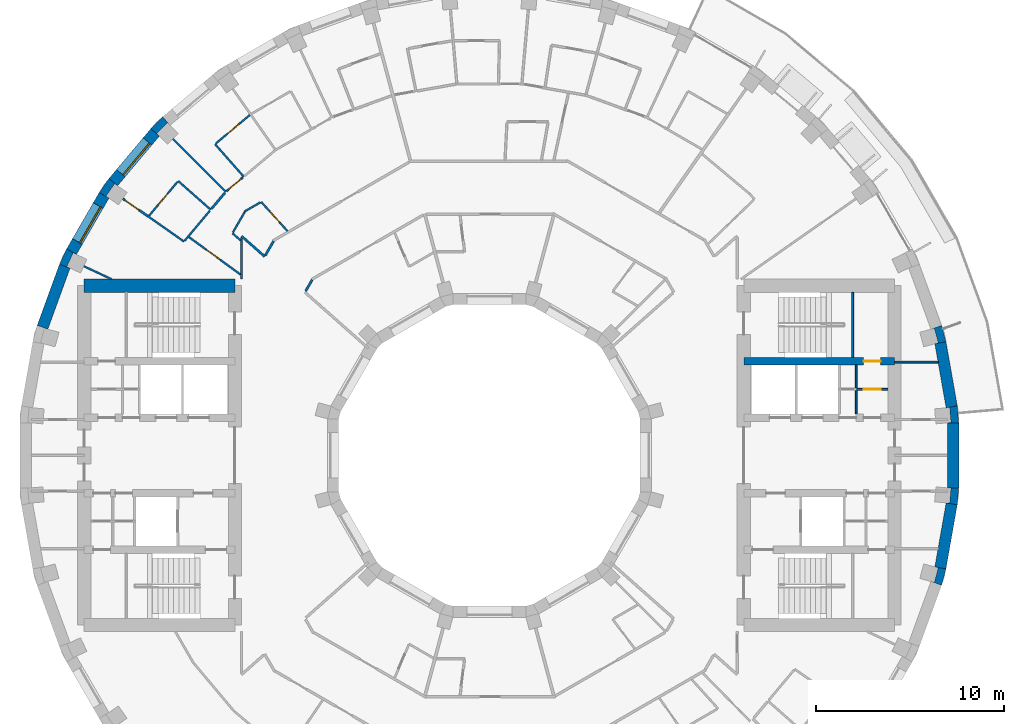
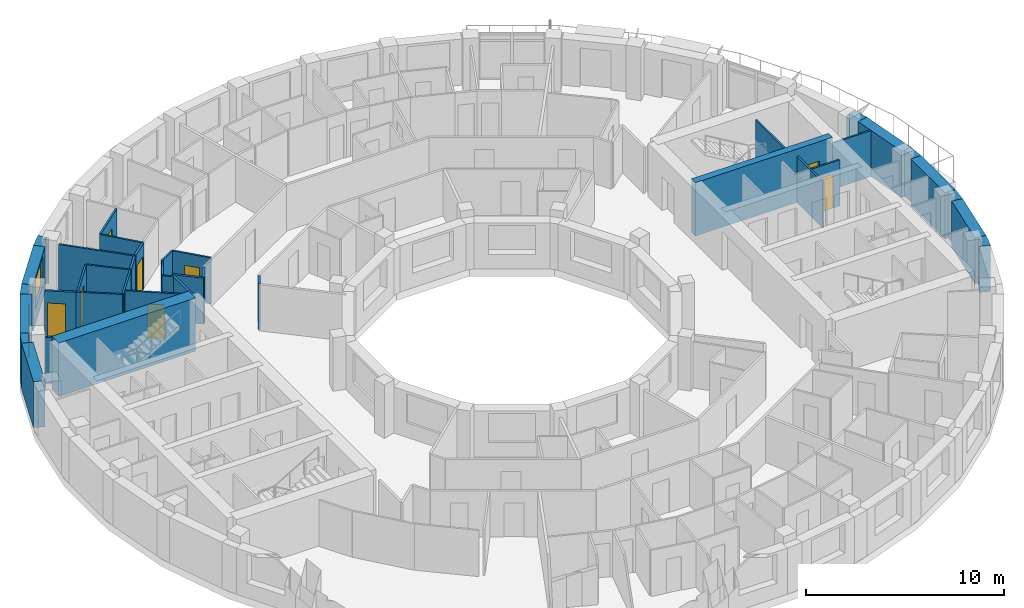
# One storey, part 10 of 15: 39 walls, 8 doors, 2 windows, 10 openings.
"""IFC4 building model written with IfcOpenShell, lengths in metres."""

from ifc_helpers import new_model, si_unit, direction, frame, frame_2d, origin, place, context, subcontext, project, spatial, polyline, rectangle, outline, extrude, material, layer, layer_set, type_object, element, fill, save


model = new_model("IFC4")

# Units and contexts
model_context = context("Model", 3, precision=1e-05, world=origin(), true_north=direction((0.0, 1.0)))
body_context = subcontext(model_context, "Body", "Model", "MODEL_VIEW")
ifc_project = project(units=[si_unit("LENGTHUNIT", "METRE"), si_unit("AREAUNIT", "SQUARE_METRE"), si_unit("VOLUMEUNIT", "CUBIC_METRE"), si_unit("PLANEANGLEUNIT", "RADIAN"), si_unit("MASSUNIT", "GRAM", prefix="KILO")], contexts=[model_context])

# Site, building, storey
site_placement = place(None, origin())
site = spatial("IfcSite", under=ifc_project, at=site_placement, CompositionType="ELEMENT")
building_placement = place(site_placement, origin())
building = spatial("IfcBuilding", under=site, at=building_placement, Name="Saqina Gate Tower", CompositionType="ELEMENT")
storey_placement = place(building_placement, frame((0.0, 0.0, 190.5)))
storey = spatial("IfcBuildingStorey", under=building, at=storey_placement, Name="L54", CompositionType="ELEMENT", Elevation=190.5)

# Walls
ifc_material_1 = material(Name="Brick masonry (buff)", Category="masonry")
wall_type_1 = type_object("IfcWallType", Name="BRICK PIER COPING BUFF", PredefinedType="SOLIDWALL", material=ifc_material_1)
wall_1_placement = place(storey_placement, origin())
element("IfcWall", 1, at=wall_1_placement, inside=storey, type_object=wall_type_1, Name="Pier cap L54 column 1", PredefinedType="SOLIDWALL", context=body_context, shape_type="SweptSolid", body=[
    extrude(outline(polyline([(24.90478515625, 1.724853515625), (24.825927734375, 2.6259765625), (24.235107421875, 2.521728515625), (24.421630859375, 2.5380859375), (24.491455078125, 1.7412109375), (24.304931640625, 1.724853515625), (24.90478515625, 1.724853515625)])), origin(), (0.0, 0.0, 1.0), 2.85009765625),
])
wall_2_placement = place(storey_placement, origin())
element("IfcWall", 2, at=wall_2_placement, inside=storey, type_object=wall_type_1, Name="Pier cap L54 column 2", PredefinedType="SOLIDWALL", context=body_context, shape_type="SweptSolid", body=[
    extrude(outline(polyline([(24.22705078125, 6.0234375), (23.992919921875, 6.897216796875), (23.428955078125, 6.69189453125), (23.610107421875, 6.740478515625), (23.81689453125, 5.967529296875), (23.635986328125, 5.919189453125), (24.22705078125, 6.0234375)])), origin(), (0.0, 0.0, 1.0), 2.85009765625),
])
wall_3_placement = place(storey_placement, origin())
element("IfcWall", 3, at=wall_3_placement, inside=storey, type_object=wall_type_1, Name="Pier cap L54 column 14", PredefinedType="SOLIDWALL", context=body_context, shape_type="SweptSolid", body=[
    extrude(outline(polyline([(-17.969482421875, 17.329833984375), (-17.510009765625, 16.944091796875), (-17.642333984375, 17.07666015625), (-17.07666015625, 17.642333984375), (-16.944091796875, 17.510009765625), (-17.329833984375, 17.969482421875), (-17.969482421875, 17.329833984375)])), origin(), (0.0, 0.0, 1.0), 2.85009765625),
])
wall_4_placement = place(storey_placement, origin())
element("IfcWall", 4, at=wall_4_placement, inside=storey, type_object=wall_type_1, Name="Pier cap L54 column 15", PredefinedType="SOLIDWALL", context=body_context, shape_type="SweptSolid", body=[
    extrude(outline(polyline([(-20.18701171875, 14.687255859375), (-20.705810546875, 13.9462890625), (-20.186279296875, 13.646240234375), (-20.339599609375, 13.753662109375), (-19.880859375, 14.408935546875), (-19.727294921875, 14.301513671875), (-20.18701171875, 14.687255859375)])), origin(), (0.0, 0.0, 1.0), 2.85009765625),
])
wall_5_placement = place(storey_placement, origin())
element("IfcWall", 5, at=wall_5_placement, inside=storey, type_object=wall_type_1, Name="Pier cap L54 column 16", PredefinedType="SOLIDWALL", context=body_context, shape_type="SweptSolid", body=[
    extrude(outline(polyline([(-22.81298828125, 10.138916015625), (-22.249267578125, 9.93359375), (-22.4189453125, 10.0126953125), (-22.080810546875, 10.73779296875), (-21.9111328125, 10.65869140625), (-22.4306640625, 10.958740234375), (-22.81298828125, 10.138916015625)])), origin(), (0.0, 0.0, 1.0), 2.85009765625),
])
wall_6_placement = place(storey_placement, origin())
element("IfcWall", 6, at=wall_6_placement, inside=storey, type_object=wall_type_1, Name="Pier cap L54 column 35", PredefinedType="SOLIDWALL", context=body_context, shape_type="SweptSolid", body=[
    extrude(outline(polyline([(24.22705078125, -6.0234375), (23.635986328125, -5.919189453125), (23.81689453125, -5.967529296875), (23.610107421875, -6.740478515625), (23.428955078125, -6.69189453125), (23.992919921875, -6.897216796875), (24.22705078125, -6.0234375)])), origin(), (0.0, 0.0, 1.0), 2.85009765625),
])
wall_7_placement = place(storey_placement, origin())
element("IfcWall", 7, at=wall_7_placement, inside=storey, type_object=wall_type_1, Name="Pier cap L54 column 36", PredefinedType="SOLIDWALL", context=body_context, shape_type="SweptSolid", body=[
    extrude(outline(polyline([(24.825927734375, -2.6259765625), (24.90478515625, -1.724853515625), (24.304931640625, -1.724853515625), (24.491455078125, -1.7412109375), (24.421630859375, -2.5380859375), (24.235107421875, -2.521728515625), (24.825927734375, -2.6259765625)])), origin(), (0.0, 0.0, 1.0), 2.85009765625),
])
ifc_material_2 = material(Name="Gypsum board on steel studs", Category="steel")
ifc_layer_1 = layer(ifc_material_2, 0.10009765625)
ifc_layer_set_1 = layer_set([ifc_layer_1], Name="CORE PARTITION")
wall_type_2 = type_object("IfcWallType", Name="CORE PARTITION", PredefinedType="PARTITIONING", material=ifc_layer_set_1)
wall_8_placement = place(storey_placement, frame((21.5, 4.949951171875, 0.0), z_axis=(0.0, 0.0, 1.0), x_axis=(1.0, 0.0, 0.0)))
element("IfcWall", 8, at=wall_8_placement, inside=storey, type_object=wall_type_2, Name="L54-CP-E01", PredefinedType="PARTITIONING", context=body_context, shape_type="SweptSolid", body=[
    extrude(rectangle(XDim=2.306884765625, YDim=0.10009765625, at=frame_2d((1.1533203125, 0.0))), origin(), (0.0, 0.0, 1.0), 2.85009765625),
])
wall_9_placement = place(storey_placement, frame((19.466552734375, 2.199951171875, 0.0), z_axis=(0.0, 0.0, 1.0), x_axis=(0.0, 1.0, 0.0)))
element("IfcWall", 9, at=wall_9_placement, inside=storey, type_object=wall_type_2, Name="L54-CP-E08", PredefinedType="PARTITIONING", context=body_context, shape_type="SweptSolid", body=[
    extrude(rectangle(XDim=2.60009765625, YDim=0.10009765625, at=frame_2d((1.300048828125, 0.0))), origin(), (0.0, 0.0, 1.0), 2.85009765625),
])

# Wall, opening, door
wall_10_placement = place(storey_placement, frame((19.466552734375, 3.5, 0.0), z_axis=(0.0, 0.0, 1.0), x_axis=(1.0, 0.0, 0.0)))
wall_10 = element("IfcWall", 10, at=wall_10_placement, inside=storey, type_object=wall_type_2, Name="L54-CP-E13", PredefinedType="PARTITIONING", context=body_context, shape_type="SweptSolid", body=[
    extrude(rectangle(XDim=1.683349609375, YDim=0.10009765625, at=frame_2d((0.841796875, 0.0))), origin(), (0.0, 0.0, 1.0), 2.85009765625),
])
opening_1_placement = place(wall_10_placement, frame((0.391845703125, 0.0, 0.0)))
opening_1 = element("IfcOpeningElement", 11, at=opening_1_placement, cuts=wall_10, Name="Opening G16-D100", PredefinedType="OPENING", context=body_context, shape_type="SweptSolid", body=[
    extrude(rectangle(XDim=0.89990234375, YDim=2.10009765625, at=frame_2d((0.449951171875, 1.050048828125))), frame((0.0, 0.06201171875, 0.0), z_axis=(0.0, -1.0, 0.0), x_axis=(1.0, 0.0, 0.0)), (0.0, 0.0, 1.0), 0.1240234375),
])
ifc_material_3 = material(Name="Steel-framed fire door leaf, EI 60", Category="steel")
door_type_1 = type_object("IfcDoorType", Name="SERVICE ROOM DOOR 900", OperationType="SINGLE_SWING_LEFT", PredefinedType="DOOR", material=ifc_material_3)
door_1_placement = place(opening_1_placement, origin())
door_1 = element("IfcDoor", 12, at=door_1_placement, inside=storey, type_object=door_type_1, Name="L54-CD-E11", OperationType="SINGLE_SWING_RIGHT", OverallHeight=2.10009765625, OverallWidth=0.89990234375, PredefinedType="DOOR", context=body_context, shape_type="SweptSolid", body=[
    extrude(rectangle(XDim=0.89990234375, YDim=2.10009765625, at=frame_2d((0.449951171875, 1.050048828125))), frame((0.0, 0.02490234375, 0.0), z_axis=(0.0, -1.0, 0.0), x_axis=(1.0, 0.0, 0.0)), (0.0, 0.0, 1.0), 0.050048828125),
])
fill(opening_1, door_1)

# Wall, opening, window
ifc_material_4 = material(Name="Brick masonry (buff)", Category="masonry")
ifc_layer_2 = layer(ifc_material_4, 0.60009765625)
ifc_layer_set_2 = layer_set([ifc_layer_2], Name="FW-BRICK-BUFF")
wall_type_3 = type_object("IfcWallType", Name="FW-BRICK-BUFF", PredefinedType="SOLIDWALL", material=ifc_layer_set_2)
wall_11_placement = place(storey_placement, frame((-17.73974609375, 17.136962890625, 0.0), z_axis=(0.0, 0.0, 1.0), x_axis=(-0.642770398358, -0.766058884809, 0.0)))
wall_11 = element("IfcWall", 13, at=wall_11_placement, inside=storey, type_object=wall_type_3, Name="Facade wall L54 facet 14", PredefinedType="SOLIDWALL", context=body_context, shape_type="SweptSolid", body=[
    extrude(rectangle(XDim=3.449462890625, YDim=0.60009765625, at=frame_2d((1.724609375, 0.0))), origin(), (0.0, 0.0, 1.0), 2.85009765625),
])
opening_2_placement = place(wall_11_placement, frame((0.625, 0.0, 0.89990234375)))
opening_2 = element("IfcOpeningElement", 14, at=opening_2_placement, cuts=wall_11, Name="Opening G16-W08", PredefinedType="OPENING", context=body_context, shape_type="SweptSolid", body=[
    extrude(rectangle(XDim=2.199951171875, YDim=1.800048828125, at=frame_2d((1.10009765625, 0.89990234375))), frame((0.0, 0.31201171875, 0.0), z_axis=(0.0, -1.0, 0.0), x_axis=(1.0, 0.0, 0.0)), (0.0, 0.0, 1.0), 0.6240234375),
])
ifc_material_5 = material(Name="Aluminium glazing", Category="aluminium")
window_type = type_object("IfcWindowType", Name="WN-C", PartitioningType="SINGLE_PANEL", PredefinedType="WINDOW", material=ifc_material_5)
window_1_placement = place(opening_2_placement, origin())
window_1 = element("IfcWindow", 15, at=window_1_placement, inside=storey, type_object=window_type, Name="Window L54 facet 14", OverallHeight=1.800048828125, OverallWidth=2.199951171875, PartitioningType="SINGLE_PANEL", PredefinedType="WINDOW", context=body_context, shape_type="SweptSolid", body=[
    extrude(rectangle(XDim=2.199951171875, YDim=1.800048828125, at=frame_2d((1.10009765625, 0.89990234375))), frame((0.0, 0.179931640625, 0.0), z_axis=(0.0, -1.0, 0.0), x_axis=(1.0, 0.0, 0.0)), (0.0, 0.0, 1.0), 0.06005859375),
])
fill(opening_2, window_1)

wall_12_placement = place(storey_placement, frame((-20.446044921875, 13.796142578125, 0.0), z_axis=(0.0, 0.0, 1.0), x_axis=(-0.499998129301, -0.86602648383, 0.0)))
wall_12 = element("IfcWall", 16, at=wall_12_placement, inside=storey, type_object=wall_type_3, Name="Facade wall L54 facet 15", PredefinedType="SOLIDWALL", context=body_context, shape_type="SweptSolid", body=[
    extrude(rectangle(XDim=3.44970703125, YDim=0.60009765625, at=frame_2d((1.724853515625, 0.0))), origin(), (0.0, 0.0, 1.0), 2.85009765625),
])
opening_3_placement = place(wall_12_placement, frame((0.625, 0.0, 0.89990234375)))
opening_3 = element("IfcOpeningElement", 17, at=opening_3_placement, cuts=wall_12, Name="Opening G16-W09", PredefinedType="OPENING", context=body_context, shape_type="SweptSolid", body=[
    extrude(rectangle(XDim=2.199951171875, YDim=1.800048828125, at=frame_2d((1.10009765625, 0.89990234375))), frame((0.0, 0.31201171875, 0.0), z_axis=(0.0, -1.0, 0.0), x_axis=(1.0, 0.0, 0.0)), (0.0, 0.0, 1.0), 0.6240234375),
])
window_2_placement = place(opening_3_placement, origin())
window_2 = element("IfcWindow", 18, at=window_2_placement, inside=storey, type_object=window_type, Name="Window L54 facet 15", OverallHeight=1.800048828125, OverallWidth=2.199951171875, PartitioningType="SINGLE_PANEL", PredefinedType="WINDOW", context=body_context, shape_type="SweptSolid", body=[
    extrude(rectangle(XDim=2.199951171875, YDim=1.800048828125, at=frame_2d((1.10009765625, 0.89990234375))), frame((0.0, 0.179931640625, 0.0), z_axis=(0.0, -1.0, 0.0), x_axis=(1.0, 0.0, 0.0)), (0.0, 0.0, 1.0), 0.06005859375),
])
fill(opening_3, window_2)

# Walls
ifc_material_6 = material(Name="Glazed ceramic tile", Category="ceramic")
ifc_layer_3 = layer(ifc_material_6, 0.60009765625)
ifc_layer_set_3 = layer_set([ifc_layer_3], Name="FW-TILE")
wall_type_4 = type_object("IfcWallType", Name="FW-TILE", PredefinedType="SOLIDWALL", material=ifc_layer_set_3)
for number, where, z_axis, x_axis, name in (
    (19, (24.530517578125, 2.573974609375, 0.0), (0.0, 0.0, 1.0), (-0.173607684551, 0.984814892183, 0.0), "Facade wall L54 facet 1"),
    (20, (23.931640625, -5.97119140625, 0.0), (0.0, 0.0, 1.0), (0.173607684551, 0.984814892183, 0.0), "Facade wall L54 facet 35"),
):
    element("IfcWall", number, at=place(storey_placement, frame(where, z_axis=z_axis, x_axis=x_axis)), inside=storey, type_object=wall_type_4, Name=name, PredefinedType="SOLIDWALL", context=body_context, shape_type="SweptSolid", body=[
        extrude(rectangle(XDim=3.44970703125, YDim=0.60009765625, at=frame_2d((1.724853515625, 0.0))), origin(), (0.0, 0.0, 1.0), 2.85009765625),
    ])
ifc_material_7 = material(Name="Glazed ceramic tile (dark blue)", Category="ceramic")
ifc_layer_4 = layer(ifc_material_7, 0.60009765625)
ifc_layer_set_4 = layer_set([ifc_layer_4], Name="FW-TILE-CB")
wall_type_5 = type_object("IfcWallType", Name="FW-TILE-CB", PredefinedType="SOLIDWALL", material=ifc_layer_set_4)
for number, where, z_axis, x_axis, name in (
    (21, (-22.531005859375, 10.0361328125, 0.0), (0.0, 0.0, 1.0), (-0.342032843455, -0.93968799822, 0.0), "Facade wall L54 facet 16"),
    (22, (24.60498046875, -1.724853515625, 0.0), (0.0, 0.0, 1.0), (0.0, 1.0, 0.0), "Facade wall L54 facet 36"),
):
    element("IfcWall", number, at=place(storey_placement, frame(where, z_axis=z_axis, x_axis=x_axis)), inside=storey, type_object=wall_type_5, Name=name, PredefinedType="SOLIDWALL", context=body_context, shape_type="SweptSolid", body=[
        extrude(rectangle(XDim=3.44970703125, YDim=0.60009765625, at=frame_2d((1.724853515625, 0.0))), origin(), (0.0, 0.0, 1.0), 2.85009765625),
    ])
ifc_material_8 = material(Name="Gypsum board on steel studs, 100 mm", Category="steel")
ifc_layer_5 = layer(ifc_material_8, 0.10009765625)
ifc_layer_set_5 = layer_set([ifc_layer_5], Name="PARTITION 100")
wall_type_6 = type_object("IfcWallType", Name="PARTITION 100", PredefinedType="PARTITIONING", material=ifc_layer_set_5)
wall_13_placement = place(storey_placement, frame((-14.555908203125, 16.511962890625, 0.0), z_axis=(0.0, 0.0, 1.0), x_axis=(0.661368963491, -0.750060726962, 0.0)))
element("IfcWall", 23, at=wall_13_placement, inside=storey, type_object=wall_type_6, Name="PARTITION PW3-23", PredefinedType="PARTITIONING", context=body_context, shape_type="SweptSolid", body=[
    extrude(rectangle(XDim=2.30126953125, YDim=0.10009765625, at=frame_2d((1.150634765625, 0.0))), origin(), (0.0, 0.0, 1.0), 2.85009765625),
])

# Wall, opening, door
wall_14_placement = place(storey_placement, frame((-12.10791015625, 13.447021484375, 0.0), z_axis=(0.0, 0.0, 1.0), x_axis=(0.669048883613, -0.743218400833, 0.0)))
wall_14 = element("IfcWall", 24, at=wall_14_placement, inside=storey, type_object=wall_type_6, Name="PARTITION PW3-24", PredefinedType="PARTITIONING", context=body_context, shape_type="SweptSolid", body=[
    extrude(rectangle(XDim=2.083740234375, YDim=0.10009765625, at=frame_2d((1.0419921875, 0.0))), origin(), (0.0, 0.0, 1.0), 2.85009765625),
])
opening_4_placement = place(wall_14_placement, frame((0.673095703125, 0.0, 0.0)))
opening_4 = element("IfcOpeningElement", 25, at=opening_4_placement, cuts=wall_14, Name="Opening G16-D29", PredefinedType="OPENING", context=body_context, shape_type="SweptSolid", body=[
    extrude(rectangle(XDim=0.800048828125, YDim=2.10009765625, at=frame_2d((0.39990234375, 1.050048828125))), frame((0.0, 0.06201171875, 0.0), z_axis=(0.0, -1.0, 0.0), x_axis=(1.0, 0.0, 0.0)), (0.0, 0.0, 1.0), 0.1240234375),
])
ifc_material_9 = material(Name="Timber door leaf, 800 mm", Category="wood")
door_type_2 = type_object("IfcDoorType", Name="DOOR 800 TIMBER", OperationType="SINGLE_SWING_LEFT", PredefinedType="DOOR", material=ifc_material_9)
door_2_placement = place(opening_4_placement, origin())
door_2 = element("IfcDoor", 26, at=door_2_placement, inside=storey, type_object=door_type_2, Name="DOOR G16-D29", OperationType="SINGLE_SWING_RIGHT", OverallHeight=2.10009765625, OverallWidth=0.800048828125, PredefinedType="DOOR", context=body_context, shape_type="SweptSolid", body=[
    extrude(rectangle(XDim=0.800048828125, YDim=2.10009765625, at=frame_2d((0.39990234375, 1.050048828125))), frame((0.0, 0.02490234375, 0.0), z_axis=(0.0, -1.0, 0.0), x_axis=(1.0, 0.0, 0.0)), (0.0, 0.0, 1.0), 0.050048828125),
])
fill(opening_4, door_2)

# Walls
wall_15_placement = place(storey_placement, frame((-16.78662109375, 16.78662109375, 0.0), z_axis=(0.0, 0.0, 1.0), x_axis=(0.707106781187, -0.707106781187, 0.0)))
element("IfcWall", 27, at=wall_15_placement, inside=storey, type_object=wall_type_6, Name="PARTITION PW3-27", PredefinedType="PARTITIONING", context=body_context, shape_type="SweptSolid", body=[
    extrude(rectangle(XDim=3.959228515625, YDim=0.10009765625, at=frame_2d((1.9794921875, 0.0))), origin(), (0.0, 0.0, 1.0), 2.85009765625),
])
wall_16_placement = place(storey_placement, frame((-16.511962890625, 14.555908203125, 0.0), z_axis=(0.0, 0.0, 1.0), x_axis=(0.750060726962, -0.661368963491, 0.0)))
element("IfcWall", 28, at=wall_16_placement, inside=storey, type_object=wall_type_6, Name="PARTITION PW3-29", PredefinedType="PARTITIONING", context=body_context, shape_type="SweptSolid", body=[
    extrude(rectangle(XDim=2.30126953125, YDim=0.10009765625, at=frame_2d((1.150634765625, 0.0))), origin(), (0.0, 0.0, 1.0), 2.85009765625),
])
wall_17_placement = place(storey_placement, frame((-13.635009765625, 11.783935546875, 0.0), z_axis=(0.0, 0.0, 1.0), x_axis=(0.75671861177, -0.653740730413, 0.0)))
element("IfcWall", 29, at=wall_17_placement, inside=storey, type_object=wall_type_6, Name="PARTITION PW3-31", PredefinedType="PARTITIONING", context=body_context, shape_type="SweptSolid", body=[
    extrude(rectangle(XDim=0.578369140625, YDim=0.10009765625, at=frame_2d((0.2890625, 0.0))), origin(), (0.0, 0.0, 1.0), 2.85009765625),
])

# Wall, opening, door
wall_18_placement = place(storey_placement, frame((-15.939453125, 11.58056640625, 0.0), z_axis=(0.0, 0.0, 1.0), x_axis=(0.809057281934, -0.587729797228, 0.0)))
wall_18 = element("IfcWall", 30, at=wall_18_placement, inside=storey, type_object=wall_type_6, Name="PARTITION PW3-34", PredefinedType="PARTITIONING", context=body_context, shape_type="SweptSolid", body=[
    extrude(rectangle(XDim=3.38427734375, YDim=0.10009765625, at=frame_2d((1.692138671875, 0.0))), origin(), (0.0, 0.0, 1.0), 2.85009765625),
])
opening_5_placement = place(wall_18_placement, frame((1.148193359375, 0.0, 0.0)))
opening_5 = element("IfcOpeningElement", 31, at=opening_5_placement, cuts=wall_18, Name="Opening G16-D32", PredefinedType="OPENING", context=body_context, shape_type="SweptSolid", body=[
    extrude(rectangle(XDim=0.89990234375, YDim=2.10009765625, at=frame_2d((0.449951171875, 1.050048828125))), frame((0.0, 0.06201171875, 0.0), z_axis=(0.0, -1.0, 0.0), x_axis=(1.0, 0.0, 0.0)), (0.0, 0.0, 1.0), 0.1240234375),
])
ifc_material_10 = material(Name="Timber door leaf, 900 mm", Category="wood")
door_type_3 = type_object("IfcDoorType", Name="DOOR 900 TIMBER", OperationType="SINGLE_SWING_LEFT", PredefinedType="DOOR", material=ifc_material_10)
door_3_placement = place(opening_5_placement, origin())
door_3 = element("IfcDoor", 32, at=door_3_placement, inside=storey, type_object=door_type_3, Name="DOOR G16-D32", OperationType="SINGLE_SWING_LEFT", OverallHeight=2.10009765625, OverallWidth=0.89990234375, PredefinedType="DOOR", context=body_context, shape_type="SweptSolid", body=[
    extrude(rectangle(XDim=0.89990234375, YDim=2.10009765625, at=frame_2d((0.449951171875, 1.050048828125))), frame((0.0, 0.02490234375, 0.0), z_axis=(0.0, -1.0, 0.0), x_axis=(1.0, 0.0, 0.0)), (0.0, 0.0, 1.0), 0.050048828125),
])
fill(opening_5, door_3)

# Walls
wall_19_placement = place(storey_placement, frame((-18.135009765625, 12.69873046875, 0.0), z_axis=(0.0, 0.0, 1.0), x_axis=(0.818979032307, -0.573823443789, 0.0)))
element("IfcWall", 33, at=wall_19_placement, inside=storey, type_object=wall_type_6, Name="PARTITION PW3-35", PredefinedType="PARTITIONING", context=body_context, shape_type="SweptSolid", body=[
    extrude(rectangle(XDim=2.359130859375, YDim=0.10009765625, at=frame_2d((1.1796875, 0.0))), origin(), (0.0, 0.0, 1.0), 2.85009765625),
])
wall_20_placement = place(storey_placement, frame((-21.515625, 10.033203125, 0.0), z_axis=(0.0, 0.0, 1.0), x_axis=(0.906055596822, -0.423158664648, 0.0)))
element("IfcWall", 34, at=wall_20_placement, inside=storey, type_object=wall_type_6, Name="PARTITION PW3-41", PredefinedType="PARTITIONING", context=body_context, shape_type="SweptSolid", body=[
    extrude(rectangle(XDim=1.6142578125, YDim=0.10009765625, at=frame_2d((0.80712890625, 0.0))), origin(), (0.0, 0.0, 1.0), 2.85009765625),
])
wall_21_placement = place(storey_placement, frame((-13.007080078125, 12.92822265625, 0.0), z_axis=(0.0, 0.0, 1.0), x_axis=(0.86609095339, 0.499886447563, 0.0)))
element("IfcWall", 35, at=wall_21_placement, inside=storey, type_object=wall_type_6, Name="PARTITION PW3-72", PredefinedType="PARTITIONING", context=body_context, shape_type="SweptSolid", body=[
    extrude(rectangle(XDim=0.988037109375, YDim=0.10009765625, at=frame_2d((0.494140625, 0.0))), origin(), (0.0, 0.0, 1.0), 2.85009765625),
])

# Wall, opening, door
wall_22_placement = place(storey_placement, frame((-14.517578125, 16.544189453125, 0.0), z_axis=(0.0, 0.0, 1.0), x_axis=(0.766175122772, 0.642631839583, 0.0)))
wall_22 = element("IfcWall", 36, at=wall_22_placement, inside=storey, type_object=wall_type_6, Name="PARTITION PW3-78", PredefinedType="PARTITIONING", context=body_context, shape_type="SweptSolid", body=[
    extrude(rectangle(XDim=2.361572265625, YDim=0.10009765625, at=frame_2d((1.1806640625, 0.0))), origin(), (0.0, 0.0, 1.0), 2.85009765625),
])
opening_6_placement = place(wall_22_placement, frame((0.78076171875, 0.0, 0.0)))
opening_6 = element("IfcOpeningElement", 37, at=opening_6_placement, cuts=wall_22, Name="Opening G16-D28", PredefinedType="OPENING", context=body_context, shape_type="SweptSolid", body=[
    extrude(rectangle(XDim=0.800048828125, YDim=2.10009765625, at=frame_2d((0.39990234375, 1.050048828125))), frame((0.0, 0.06201171875, 0.0), z_axis=(0.0, -1.0, 0.0), x_axis=(1.0, 0.0, 0.0)), (0.0, 0.0, 1.0), 0.1240234375),
])
door_4_placement = place(opening_6_placement, origin())
door_4 = element("IfcDoor", 38, at=door_4_placement, inside=storey, type_object=door_type_2, Name="DOOR G16-D28", OperationType="SINGLE_SWING_LEFT", OverallHeight=2.10009765625, OverallWidth=0.800048828125, PredefinedType="DOOR", context=body_context, shape_type="SweptSolid", body=[
    extrude(rectangle(XDim=0.800048828125, YDim=2.10009765625, at=frame_2d((0.39990234375, 1.050048828125))), frame((0.0, 0.02490234375, 0.0), z_axis=(0.0, -1.0, 0.0), x_axis=(1.0, 0.0, 0.0)), (0.0, 0.0, 1.0), 0.050048828125),
])
fill(opening_6, door_4)

# Wall
wall_23_placement = place(storey_placement, frame((-16.169189453125, 11.38525390625, 0.0), z_axis=(0.0, 0.0, 1.0), x_axis=(0.642720670629, 0.766100606674, 0.0)))
element("IfcWall", 39, at=wall_23_placement, inside=storey, type_object=wall_type_6, Name="PARTITION PW3-83", PredefinedType="PARTITIONING", context=body_context, shape_type="SweptSolid", body=[
    extrude(rectangle(XDim=2.089599609375, YDim=0.10009765625, at=frame_2d((1.044921875, 0.0))), origin(), (0.0, 0.0, 1.0), 2.85009765625),
])

# Wall, opening, door
wall_24_placement = place(storey_placement, frame((-18.053955078125, 12.7177734375, 0.0), z_axis=(0.0, 0.0, 1.0), x_axis=(0.642675237257, 0.76613872074, 0.0)))
wall_24 = element("IfcWall", 40, at=wall_24_placement, inside=storey, type_object=wall_type_6, Name="PARTITION PW3-84", PredefinedType="PARTITIONING", context=body_context, shape_type="SweptSolid", body=[
    extrude(rectangle(XDim=2.34912109375, YDim=0.10009765625, at=frame_2d((1.174560546875, 0.0))), origin(), (0.0, 0.0, 1.0), 2.85009765625),
])
opening_7_placement = place(wall_24_placement, frame((0.768310546875, 0.0, 0.0)))
opening_7 = element("IfcOpeningElement", 41, at=opening_7_placement, cuts=wall_24, Name="Opening G16-D31", PredefinedType="OPENING", context=body_context, shape_type="SweptSolid", body=[
    extrude(rectangle(XDim=0.800048828125, YDim=2.10009765625, at=frame_2d((0.39990234375, 1.050048828125))), frame((0.0, 0.06201171875, 0.0), z_axis=(0.0, -1.0, 0.0), x_axis=(1.0, 0.0, 0.0)), (0.0, 0.0, 1.0), 0.1240234375),
])
door_5_placement = place(opening_7_placement, origin())
door_5 = element("IfcDoor", 42, at=door_5_placement, inside=storey, type_object=door_type_2, Name="DOOR G16-D31", OperationType="SINGLE_SWING_LEFT", OverallHeight=2.10009765625, OverallWidth=0.800048828125, PredefinedType="DOOR", context=body_context, shape_type="SweptSolid", body=[
    extrude(rectangle(XDim=0.800048828125, YDim=2.10009765625, at=frame_2d((0.39990234375, 1.050048828125))), frame((0.0, 0.02490234375, 0.0), z_axis=(0.0, -1.0, 0.0), x_axis=(1.0, 0.0, 0.0)), (0.0, 0.0, 1.0), 0.050048828125),
])
fill(opening_7, door_5)

# Walls
wall_25_placement = place(storey_placement, frame((-13.60986328125, 11.827392578125, 0.0), z_axis=(0.0, 0.0, 1.0), x_axis=(0.500407250634, 0.865790149813, 0.0)))
element("IfcWall", 43, at=wall_25_placement, inside=storey, type_object=wall_type_6, Name="PARTITION PW3-87", PredefinedType="PARTITIONING", context=body_context, shape_type="SweptSolid", body=[
    extrude(rectangle(XDim=1.2548828125, YDim=0.10009765625, at=frame_2d((0.62744140625, 0.0))), origin(), (0.0, 0.0, 1.0), 2.85009765625),
])
ifc_material_11 = material(Name="Gypsum board on steel studs, 125 mm, fire rated", Category="steel")
ifc_layer_6 = layer(ifc_material_11, 0.125)
ifc_layer_set_6 = layer_set([ifc_layer_6], Name="PARTITION EI 30 125")
wall_type_7 = type_object("IfcWallType", Name="PARTITION EI 30 125", PredefinedType="PARTITIONING", material=ifc_layer_set_6)
wall_26_placement = place(storey_placement, frame((-13.149658203125, 11.63427734375, 0.0), z_axis=(0.0, 0.0, 1.0), x_axis=(0.748945343294, -0.662631777655, 0.0)))
element("IfcWall", 44, at=wall_26_placement, inside=storey, type_object=wall_type_7, Name="PARTITION PW1-08", PredefinedType="PARTITIONING", context=body_context, shape_type="SweptSolid", body=[
    extrude(rectangle(XDim=1.6376953125, YDim=0.125, at=frame_2d((0.81884765625, 0.0))), origin(), (0.0, 0.0, 1.0), 2.85009765625),
])

# Wall, opening, door
wall_27_placement = place(storey_placement, frame((-19.446533203125, 13.616943359375, 0.0), z_axis=(0.0, 0.0, 1.0), x_axis=(0.819188933795, -0.57352374907, 0.0)))
wall_27 = element("IfcWall", 45, at=wall_27_placement, inside=storey, type_object=wall_type_7, Name="PARTITION PW1-11", PredefinedType="PARTITIONING", context=body_context, shape_type="SweptSolid", body=[
    extrude(rectangle(XDim=1.60107421875, YDim=0.125, at=frame_2d((0.800537109375, 0.0))), origin(), (0.0, 0.0, 1.0), 2.85009765625),
])
opening_8_placement = place(wall_27_placement, frame((0.146728515625, 0.0, 0.0)))
opening_8 = element("IfcOpeningElement", 46, at=opening_8_placement, cuts=wall_27, Name="Opening G16-D33", PredefinedType="OPENING", context=body_context, shape_type="SweptSolid", body=[
    extrude(rectangle(XDim=0.89990234375, YDim=2.10009765625, at=frame_2d((0.449951171875, 1.050048828125))), frame((0.0, 0.074462890625, 0.0), z_axis=(0.0, -1.0, 0.0), x_axis=(1.0, 0.0, 0.0)), (0.0, 0.0, 1.0), 0.14892578125),
])
ifc_material_12 = material(Name="Fire door leaf EI 30, 900 mm")
door_type_4 = type_object("IfcDoorType", Name="DOOR 900 EI 30", OperationType="SINGLE_SWING_LEFT", PredefinedType="DOOR", material=ifc_material_12)
door_6_placement = place(opening_8_placement, frame((0.89990234375, 0.0, 0.0), z_axis=(0.0, 0.0, 1.0), x_axis=(-1.0, 0.0, 0.0)))
door_6 = element("IfcDoor", 47, at=door_6_placement, inside=storey, type_object=door_type_4, Name="DOOR G16-D33", OperationType="SINGLE_SWING_RIGHT", OverallHeight=2.10009765625, OverallWidth=0.89990234375, PredefinedType="DOOR", context=body_context, shape_type="SweptSolid", body=[
    extrude(rectangle(XDim=0.89990234375, YDim=2.10009765625, at=frame_2d((0.449951171875, 1.050048828125))), frame((0.0, 0.02490234375, 0.0), z_axis=(0.0, -1.0, 0.0), x_axis=(1.0, 0.0, 0.0)), (0.0, 0.0, 1.0), 0.050048828125),
])
fill(opening_8, door_6)

wall_28_placement = place(storey_placement, frame((-13.94873046875, 14.01904296875, 0.0), z_axis=(0.0, 0.0, 1.0), x_axis=(0.766293239505, 0.642490989111, 0.0)))
wall_28 = element("IfcWall", 48, at=wall_28_placement, inside=storey, type_object=wall_type_7, Name="PARTITION PW1-38", PredefinedType="PARTITIONING", context=body_context, shape_type="SweptSolid", body=[
    extrude(rectangle(XDim=1.143798828125, YDim=0.125, at=frame_2d((0.57177734375, 0.0))), origin(), (0.0, 0.0, 1.0), 2.85009765625),
])
opening_9_placement = place(wall_28_placement, frame((0.121826171875, 0.0, 0.0)))
opening_9 = element("IfcOpeningElement", 49, at=opening_9_placement, cuts=wall_28, Name="Opening G16-D30", PredefinedType="OPENING", context=body_context, shape_type="SweptSolid", body=[
    extrude(rectangle(XDim=0.89990234375, YDim=2.10009765625, at=frame_2d((0.449951171875, 1.050048828125))), frame((0.0, 0.074462890625, 0.0), z_axis=(0.0, -1.0, 0.0), x_axis=(1.0, 0.0, 0.0)), (0.0, 0.0, 1.0), 0.14892578125),
])
door_7_placement = place(opening_9_placement, frame((0.89990234375, 0.0, 0.0), z_axis=(0.0, 0.0, 1.0), x_axis=(-1.0, 0.0, 0.0)))
door_7 = element("IfcDoor", 50, at=door_7_placement, inside=storey, type_object=door_type_4, Name="DOOR G16-D30", OperationType="SINGLE_SWING_RIGHT", OverallHeight=2.10009765625, OverallWidth=0.89990234375, PredefinedType="DOOR", context=body_context, shape_type="SweptSolid", body=[
    extrude(rectangle(XDim=0.89990234375, YDim=2.10009765625, at=frame_2d((0.449951171875, 1.050048828125))), frame((0.0, 0.02490234375, 0.0), z_axis=(0.0, -1.0, 0.0), x_axis=(1.0, 0.0, 0.0)), (0.0, 0.0, 1.0), 0.050048828125),
])
fill(opening_9, door_7)

# Walls
wall_29_placement = place(storey_placement, frame((-14.75390625, 13.072265625, 0.0), z_axis=(0.0, 0.0, 1.0), x_axis=(0.644208847233, 0.76484963303, 0.0)))
element("IfcWall", 51, at=wall_29_placement, inside=storey, type_object=wall_type_7, Name="PARTITION PW1-44", PredefinedType="PARTITIONING", context=body_context, shape_type="SweptSolid", body=[
    extrude(rectangle(XDim=1.13134765625, YDim=0.125, at=frame_2d((0.565673828125, 0.0))), origin(), (0.0, 0.0, 1.0), 2.85009765625),
])
wall_30_placement = place(storey_placement, frame((-9.751708984375, 8.709228515625, 0.0), z_axis=(0.0, 0.0, 1.0), x_axis=(0.500074377092, 0.865982457891, 0.0)))
element("IfcWall", 52, at=wall_30_placement, inside=storey, type_object=wall_type_7, Name="PARTITION PW1-48", PredefinedType="PARTITIONING", context=body_context, shape_type="SweptSolid", body=[
    extrude(rectangle(XDim=0.70068359375, YDim=0.125, at=frame_2d((0.350341796875, 0.0))), origin(), (0.0, 0.0, 1.0), 2.85009765625),
])
wall_31_placement = place(storey_placement, frame((-11.891845703125, 10.60302734375, 0.0), z_axis=(0.0, 0.0, 1.0), x_axis=(0.50016217861, 0.865931749671, 0.0)))
element("IfcWall", 53, at=wall_31_placement, inside=storey, type_object=wall_type_7, Name="PARTITION PW1-49", PredefinedType="PARTITIONING", context=body_context, shape_type="SweptSolid", body=[
    extrude(rectangle(XDim=0.881103515625, YDim=0.125, at=frame_2d((0.4404296875, 0.0))), origin(), (0.0, 0.0, 1.0), 2.85009765625),
])
wall_32_placement = place(storey_placement, frame((-13.14990234375, 9.35107421875, 0.0), z_axis=(0.0, 0.0, 1.0), x_axis=(0.0, 1.0, 0.0)))
element("IfcWall", 54, at=wall_32_placement, inside=storey, type_object=wall_type_7, Name="PARTITION PW1-53", PredefinedType="PARTITIONING", context=body_context, shape_type="SweptSolid", body=[
    extrude(rectangle(XDim=2.220458984375, YDim=0.125, at=frame_2d((1.1103515625, 0.0))), origin(), (0.0, 0.0, 1.0), 2.85009765625),
])
ifc_material_13 = material(Name="Autoclaved aerated concrete block", Category="concrete")
ifc_layer_7 = layer(ifc_material_13, 0.10009765625)
ifc_layer_set_7 = layer_set([ifc_layer_7], Name="STAIR ENCLOSURE WALL")
wall_type_8 = type_object("IfcWallType", Name="STAIR ENCLOSURE WALL", PredefinedType="PARTITIONING", material=ifc_layer_set_7)
wall_33_placement = place(storey_placement, frame((19.27001953125, 5.199951171875, 0.0), z_axis=(0.0, 0.0, 1.0), x_axis=(0.0, 1.0, 0.0)))
element("IfcWall", 55, at=wall_33_placement, inside=storey, type_object=wall_type_8, Name="L54-CP-E16", PredefinedType="PARTITIONING", context=body_context, shape_type="SweptSolid", body=[
    extrude(rectangle(XDim=3.449951171875, YDim=0.10009765625, at=frame_2d((1.72509765625, 0.0))), origin(), (0.0, 0.0, 1.0), 2.85009765625),
])

# Wall, opening, door
ifc_material_14 = material(Name="Concrete C60/75", Category="concrete")
ifc_layer_8 = layer(ifc_material_14, 0.39990234375)
ifc_layer_set_8 = layer_set([ifc_layer_8], Name="Concrete C60/75")
wall_type_9 = type_object("IfcWallType", Name="STR-CORE WALL-C-I", PredefinedType="SHEAR", material=ifc_layer_set_8)
wall_34_placement = place(storey_placement, frame((13.5, 5.0, 0.0), z_axis=(0.0, 0.0, 1.0), x_axis=(1.0, 0.0, 0.0)))
wall_34 = element("IfcWall", 56, at=wall_34_placement, inside=storey, type_object=wall_type_9, Name="CORE WALL L54 E-X1", PredefinedType="SHEAR", context=body_context, shape_type="SweptSolid", body=[
    extrude(rectangle(XDim=8.0, YDim=0.39990234375, at=frame_2d((4.0, 0.0))), origin(), (0.0, 0.0, 1.0), 3.300048828125),
])
opening_10_placement = place(wall_34_placement, frame((6.358154296875, 0.0, 0.0)))
opening_10 = element("IfcOpeningElement", 57, at=opening_10_placement, cuts=wall_34, Name="Opening G16-D101", PredefinedType="OPENING", context=body_context, shape_type="SweptSolid", body=[
    extrude(rectangle(XDim=0.89990234375, YDim=2.10009765625, at=frame_2d((0.449951171875, 1.050048828125))), frame((0.0, 0.2119140625, 0.0), z_axis=(0.0, -1.0, 0.0), x_axis=(1.0, 0.0, 0.0)), (0.0, 0.0, 1.0), 0.423828125),
])
door_8_placement = place(opening_10_placement, origin())
door_8 = element("IfcDoor", 58, at=door_8_placement, inside=storey, type_object=door_type_1, Name="L54-CD-E12", OperationType="SINGLE_SWING_RIGHT", OverallHeight=2.10009765625, OverallWidth=0.89990234375, PredefinedType="DOOR", context=body_context, shape_type="SweptSolid", body=[
    extrude(rectangle(XDim=0.89990234375, YDim=2.10009765625, at=frame_2d((0.449951171875, 1.050048828125))), frame((0.0, 0.02490234375, 0.0), z_axis=(0.0, -1.0, 0.0), x_axis=(1.0, 0.0, 0.0)), (0.0, 0.0, 1.0), 0.050048828125),
])
fill(opening_10, door_8)

# Wall
ifc_material_15 = material(Name="Concrete C60/75", Category="concrete")
ifc_layer_9 = layer(ifc_material_15, 0.699951171875)
ifc_layer_set_9 = layer_set([ifc_layer_9], Name="Concrete C60/75")
wall_type_10 = type_object("IfcWallType", Name="STR-CORE WALL-C-O", PredefinedType="SHEAR", material=ifc_layer_set_9)
wall_35_placement = place(storey_placement, frame((-13.5, 9.0, 0.0), z_axis=(0.0, 0.0, 1.0), x_axis=(-1.0, 0.0, 0.0)))
element("IfcWall", 59, at=wall_35_placement, inside=storey, type_object=wall_type_10, Name="CORE WALL L54 W-NE", PredefinedType="SHEAR", context=body_context, shape_type="SweptSolid", body=[
    extrude(rectangle(XDim=8.0, YDim=0.699951171875, at=frame_2d((4.0, 0.0))), origin(), (0.0, 0.0, 1.0), 3.300048828125),
])

save(model, "model.ifc")
